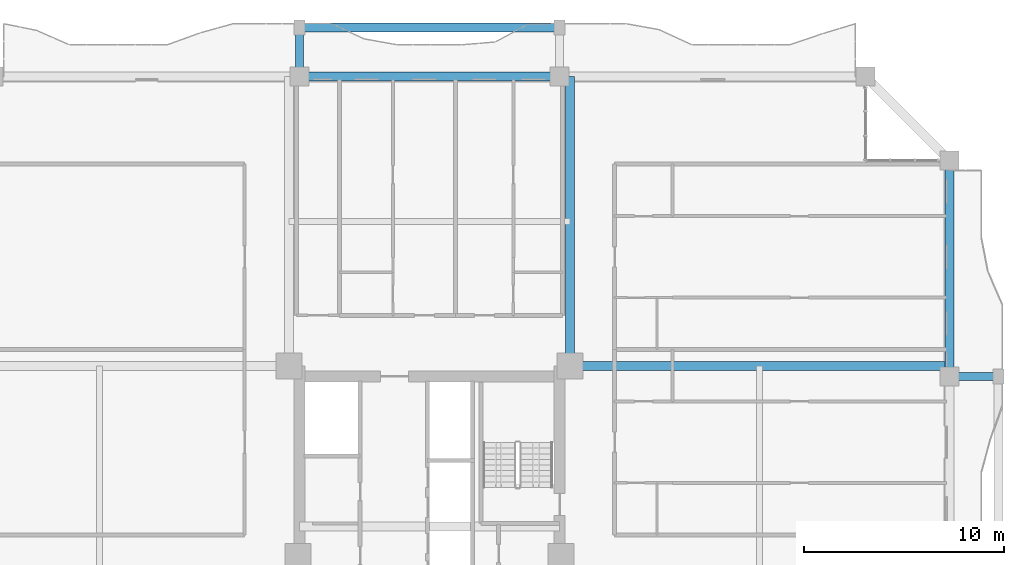
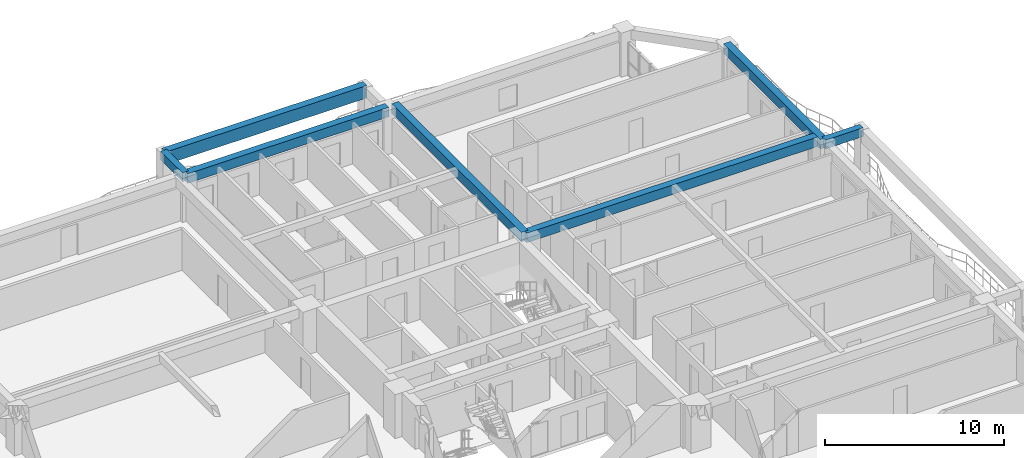
# One storey, part 9 of 24: 7 beams.
"""IFC4 building model written with IfcOpenShell, lengths in metres."""

import ifcopenshell
import ifcopenshell.guid

model = None  # the IFC model being written
_history = None  # IfcOwnerHistory: only IFC2X3 demands one
_inside = {}  # id of a spatial element -> (the spatial element, [elements in it])
_under = {}  # id of a project, library or spatial element -> (it, [spatial elements below it])
_declared = {}  # id of a project -> (the project, [libraries it declares])
_typed = {}  # id of a type object -> (the type object, [elements of that type])
_made_of = {}  # id of a material, layer set ... -> (it, [elements and type objects made of it])


def new_model(schema):
    """Start an empty IFC model of exactly this schema.

    Asked for "IFC4X3", IfcOpenShell would pick the latest addendum, in which some entities
    have other attributes; the version numbers below select the first issue.
    IFC2X3 requires an IfcOwnerHistory on every rooted entity: one is made here for all.
    """
    global model, _history
    if schema == "IFC4X3":
        model = ifcopenshell.file(schema_version=(4, 3, 0, 0))
    else:
        model = ifcopenshell.file(schema=schema)
    _inside.clear()
    _under.clear()
    _declared.clear()
    _typed.clear()
    _made_of.clear()
    _history = None
    if model.schema == "IFC2X3":
        org = make("IfcOrganization", Name="unknown")
        user = make(
            "IfcPersonAndOrganization",
            ThePerson=make("IfcPerson", FamilyName="unknown"),
            TheOrganization=org,
        )
        app = make(
            "IfcApplication",
            ApplicationDeveloper=org,
            Version="unknown",
            ApplicationFullName="unknown",
            ApplicationIdentifier="unknown",
        )
        _history = make(
            "IfcOwnerHistory",
            OwningUser=user,
            OwningApplication=app,
            ChangeAction="ADDED",
            CreationDate=0,
        )
    return model


def make(cls, **values):
    """One entity of the class cls with the attributes given. An attribute that is None is left unset."""
    return model.create_entity(
        cls, **{name: value for name, value in values.items() if value is not None}
    )


def rooted(cls, **values):
    """An entity with a GlobalId (a new one), such as an element, a storey or a relation."""
    return make(cls, GlobalId=ifcopenshell.guid.new(), OwnerHistory=_history, **values)


def si_unit(unit_type, name, prefix=None):
    """IfcSIUnit, for example si_unit("LENGTHUNIT", "METRE", prefix="MILLI")."""
    return make("IfcSIUnit", UnitType=unit_type, Prefix=prefix, Name=name)


def assignment(units):
    """IfcUnitAssignment: the units of a project."""
    return None if units is None else make("IfcUnitAssignment", Units=units)


def point(xyz):
    """IfcCartesianPoint."""
    return None if xyz is None else make("IfcCartesianPoint", Coordinates=xyz)


def direction(xyz):
    """IfcDirection."""
    return None if xyz is None else make("IfcDirection", DirectionRatios=xyz)


def frame(location, z_axis=None, x_axis=None):
    """IfcAxis2Placement3D, a coordinate frame: its origin and axes. An axis left out is left unset."""
    return make(
        "IfcAxis2Placement3D",
        Location=point(location),
        Axis=direction(z_axis),
        RefDirection=direction(x_axis),
    )


def frame_2d(location, x_axis=None):
    """IfcAxis2Placement2D, a coordinate frame in the plane: its origin and x axis."""
    return make(
        "IfcAxis2Placement2D", Location=point(location), RefDirection=direction(x_axis)
    )


def origin():
    """The frame at (0, 0, 0) with its axes left unset."""
    return frame((0.0, 0.0, 0.0))


def origin_2d():
    """The frame at (0, 0) in the plane with its x axis left unset."""
    return frame_2d((0.0, 0.0))


def place(relative_to, where):
    """IfcLocalPlacement: puts the frame where relative to a parent placement (None: the world)."""
    return make(
        "IfcLocalPlacement", PlacementRelTo=relative_to, RelativePlacement=where
    )


def context(
    kind, dimensions, precision=None, world=None, true_north=None, identifier=None
):
    """IfcGeometricRepresentationContext, for example the 3D "Model" context."""
    return make(
        "IfcGeometricRepresentationContext",
        ContextIdentifier=identifier,
        ContextType=kind,
        CoordinateSpaceDimension=dimensions,
        Precision=precision,
        WorldCoordinateSystem=world,
        TrueNorth=true_north,
    )


def subcontext(parent, identifier, kind, view, scale=None):
    """IfcGeometricRepresentationSubContext, for example "Body" below "Model"."""
    return make(
        "IfcGeometricRepresentationSubContext",
        ContextIdentifier=identifier,
        ContextType=kind,
        ParentContext=parent,
        TargetScale=scale,
        TargetView=view,
    )


def project(units=None, contexts=None):
    """IfcProject with its units and contexts."""
    return rooted(
        "IfcProject",
        Name="project",
        RepresentationContexts=contexts,
        UnitsInContext=assignment(units),
    )


def spatial(cls, under=None, at=None, **own):
    """A site, building, storey or space (cls), placed at a placement, below another one or the project."""
    s = rooted(cls, ObjectPlacement=at, **own)
    if under is not None:
        _under.setdefault(under.id(), (under, []))[1].append(s)
    return s


def profile(cls, at=None, kind="AREA", **sizes):
    """A parametric profile (cls). Its sizes go by their IFC names, for example OverallWidth=200.0."""
    return make(cls, ProfileType=kind, Position=at, **sizes)


def rectangle(**sizes):
    """IfcRectangleProfileDef."""
    return profile("IfcRectangleProfileDef", **sizes)


def extrude(swept, where, along, depth):
    """IfcExtrudedAreaSolid: the profile swept, set in the frame where, extruded along a direction by depth."""
    return make(
        "IfcExtrudedAreaSolid",
        SweptArea=swept,
        Position=where,
        ExtrudedDirection=direction(along),
        Depth=depth,
    )


def shape(context_of_items, identifier, shape_type, items):
    """IfcShapeRepresentation: the items that make up one representation, for example the "Body"."""
    return make(
        "IfcShapeRepresentation",
        ContextOfItems=context_of_items,
        RepresentationIdentifier=identifier,
        RepresentationType=shape_type,
        Items=items,
    )


def source(mapping_origin, context_of_items, identifier, shape_type, items):
    """IfcRepresentationMap: a shape defined once, which mapped items show again and again."""
    return make(
        "IfcRepresentationMap",
        MappingOrigin=mapping_origin,
        MappedRepresentation=shape(context_of_items, identifier, shape_type, items),
    )


def transform(
    local_origin,
    x_axis=None,
    y_axis=None,
    z_axis=None,
    scale=None,
    scale2=None,
    scale3=None,
    uniform=True,
):
    """IfcCartesianTransformationOperator3D, or its non-uniform kind. x_axis, y_axis, z_axis: its Axis1, 2, 3."""
    if uniform:
        return make(
            "IfcCartesianTransformationOperator3D",
            Axis1=direction(x_axis),
            Axis2=direction(y_axis),
            LocalOrigin=point(local_origin),
            Scale=scale,
            Axis3=direction(z_axis),
        )
    return make(
        "IfcCartesianTransformationOperator3DnonUniform",
        Axis1=direction(x_axis),
        Axis2=direction(y_axis),
        LocalOrigin=point(local_origin),
        Scale=scale,
        Axis3=direction(z_axis),
        Scale2=scale2,
        Scale3=scale3,
    )


def mapped(mapping_source, mapping_target):
    """IfcMappedItem: shows the shape of a source again, moved by a transform."""
    return make(
        "IfcMappedItem", MappingSource=mapping_source, MappingTarget=mapping_target
    )


def material(Name=None, Category=None):
    """IfcMaterial."""
    return make("IfcMaterial", Name=Name, Category=Category)


def material_profile(
    of_material, cross_section, Name=None, Category=None, Priority=None
):
    """IfcMaterialProfile: a cross section and its material."""
    return make(
        "IfcMaterialProfile",
        Name=Name,
        Material=of_material,
        Profile=cross_section,
        Priority=Priority,
        Category=Category,
    )


def profile_set(profiles, Name=None, composite=None):
    """IfcMaterialProfileSet."""
    return make(
        "IfcMaterialProfileSet",
        Name=Name,
        MaterialProfiles=profiles,
        CompositeProfile=composite,
    )


def made_of(thing, what):
    """Note that an element or type object is made of a material, layer set ...; save() writes the relation."""
    if what is not None:
        _made_of.setdefault(what.id(), (what, []))[1].append(thing)
    return thing


def type_object(cls, material=None, **own):
    """A type object (cls), such as IfcWallType, which elements share."""
    return made_of(rooted(cls, **own), material)


def element(
    cls,
    number,
    at=None,
    inside=None,
    cuts=None,
    type_object=None,
    material=None,
    context=None,
    identifier="Body",
    shape_type=None,
    held_by="IfcProductDefinitionShape",
    body=None,
    shapes=None,
    **own,
):
    """One element of the class cls, such as IfcWall. Its Tag is "e" and its number.

    at: its placement. inside: the storey or other place that contains it. cuts: it is an
    opening in that element (IfcRelVoidsElement). A single representation is given by context,
    identifier, shape_type and body (its items); several are given by shapes. held_by: the class
    of the entity that holds the representations. save() writes the other relations.
    """
    e = rooted(cls, Tag="e%d" % number, ObjectPlacement=at, **own)
    if body is not None:
        shapes = [shape(context, identifier, shape_type, body)]
    if shapes is not None:
        e.Representation = make(held_by, Representations=shapes)
    if inside is not None:
        _inside.setdefault(inside.id(), (inside, []))[1].append(e)
    if cuts is not None:
        rooted(
            "IfcRelVoidsElement", RelatingBuildingElement=cuts, RelatedOpeningElement=e
        )
    if type_object is not None:
        _typed.setdefault(type_object.id(), (type_object, []))[1].append(e)
    return made_of(e, material)


def aggregate(whole, parts):
    """IfcRelAggregates: a whole, such as a stair, and the parts it consists of."""
    return rooted("IfcRelAggregates", RelatingObject=whole, RelatedObjects=parts)


def save(model, path):
    """Write the relations noted so far, then the file.

    IfcRelAggregates (storeys below a building ...), IfcRelContainedInSpatialStructure (elements
    in a storey), IfcRelDefinesByType, IfcRelAssociatesMaterial and IfcRelDeclares: one each for
    every whole, place, type object, material and project.
    """
    for whole, parts in _under.values():
        aggregate(whole, parts)
    for where, things in _inside.values():
        rooted(
            "IfcRelContainedInSpatialStructure",
            RelatedElements=things,
            RelatingStructure=where,
        )
    for kind, things in _typed.values():
        rooted("IfcRelDefinesByType", RelatedObjects=things, RelatingType=kind)
    for what, things in _made_of.values():
        rooted("IfcRelAssociatesMaterial", RelatedObjects=things, RelatingMaterial=what)
    for by, libraries in _declared.values():
        rooted("IfcRelDeclares", RelatingContext=by, RelatedDefinitions=libraries)
    model.write(path)


model = new_model("IFC4")

# Units and contexts
model_context = context("Model", 3, precision=1e-05, world=origin(), true_north=direction((0.0, 1.0)))
body_context = subcontext(model_context, "Body", "Model", "MODEL_VIEW")
ifc_project = project(units=[si_unit("LENGTHUNIT", "METRE"), si_unit("AREAUNIT", "SQUARE_METRE"), si_unit("VOLUMEUNIT", "CUBIC_METRE"), si_unit("PLANEANGLEUNIT", "RADIAN"), si_unit("MASSUNIT", "GRAM", prefix="KILO")], contexts=[model_context])

# Site, building, storey
site_placement = place(None, origin())
site = spatial("IfcSite", under=ifc_project, at=site_placement, CompositionType="ELEMENT")
building_placement = place(site_placement, origin())
building = spatial("IfcBuilding", under=site, at=building_placement, Name="Saelheon Loggia Tower", CompositionType="ELEMENT")
storey_placement = place(building_placement, frame((0.0, 0.0, 98.85009765625)))
storey = spatial("IfcBuildingStorey", under=building, at=storey_placement, Name="L31", CompositionType="ELEMENT", Elevation=98.85009765625)

# Beams
ifc_material_1 = material(Name="Precast Concrete C45/55", Category="concrete")
ifc_material_profile_1 = material_profile(ifc_material_1, rectangle(XDim=0.449951171875, YDim=0.85009765625, at=origin_2d()), Name="RC-450x850")
ifc_profile_set_1 = profile_set([ifc_material_profile_1], Name="Precast Concrete C45/55")
beam_type_1 = type_object("IfcBeamType", Name="Beam_LoggiaSpandrel_RC450x850", PredefinedType="SPANDREL", material=ifc_profile_set_1)
shared_shape_1 = source(origin(), body_context, "Body", "SweptSolid", [
    extrude(rectangle(XDim=0.449951171875, YDim=0.85009765625, at=origin_2d()), origin(), (0.0, 0.0, 1.0), 13.0),
])
beam_1_placement = place(storey_placement, frame((31.5, 53.449951171875, 2.574951171875), z_axis=(1.0, 0.0, 0.0), x_axis=(0.0, 1.0, 0.0)))
element("IfcBeam", 1, at=beam_1_placement, inside=storey, type_object=beam_type_1, Name="L31 Loggia Spandrel Beam N", PredefinedType="SPANDREL", context=body_context, shape_type="MappedRepresentation", body=[
    mapped(shared_shape_1, transform((0.0, 0.0, 0.0), scale=1.0)),
])
ifc_material_profile_2 = material_profile(ifc_material_1, rectangle(XDim=0.39990234375, YDim=0.60009765625, at=origin_2d()), Name="RC-400x600")
ifc_profile_set_2 = profile_set([ifc_material_profile_2], Name="Precast Concrete C45/55")
beam_type_2 = type_object("IfcBeamType", Name="Beam_LoggiaTie_RC400x600", PredefinedType="BEAM", material=ifc_profile_set_2)
shared_shape_2 = source(origin(), body_context, "Body", "SweptSolid", [
    extrude(rectangle(XDim=0.39990234375, YDim=0.60009765625, at=origin_2d()), origin(), (0.0, 0.0, 1.0), 2.449951171875),
])
for number, where, z_axis, x_axis, name in (
    (2, (31.5, 51.0, 2.699951171875), (0.0, 1.0, 0.0), (-1.0, 0.0, 0.0), "L31 Loggia Frame Tie Beam LP-N1"),
    (3, (64.0, 36.0, 2.699951171875), (1.0, 0.0, 0.0), (0.0, 1.0, 0.0), "L31 Loggia Frame Tie Beam LP-E2"),
):
    element("IfcBeam", number, at=place(storey_placement, frame(where, z_axis=z_axis, x_axis=x_axis)), inside=storey, type_object=beam_type_2, Name=name, PredefinedType="BEAM", context=body_context, shape_type="MappedRepresentation", body=[
        mapped(shared_shape_2, transform((0.0, 0.0, 0.0), scale=1.0)),
    ])
ifc_material_2 = material(Name="Concrete C40/50", Category="concrete")
ifc_material_profile_3 = material_profile(ifc_material_2, rectangle(XDim=0.449951171875, YDim=0.64990234375, at=origin_2d()), Name="RC-450x650")
ifc_profile_set_3 = profile_set([ifc_material_profile_3], Name="Concrete C40/50")
beam_type_3 = type_object("IfcBeamType", Name="Beam_PerimTower_RC450x650", PredefinedType="BEAM", material=ifc_profile_set_3)
shared_shape_3 = source(origin(), body_context, "Body", "SweptSolid", [
    extrude(rectangle(XDim=0.449951171875, YDim=0.64990234375, at=origin_2d()), origin(), (0.0, 0.0, 1.0), 13.0),
])
beam_2_placement = place(storey_placement, frame((44.5, 51.0, 2.6748046875), z_axis=(-1.0, 0.0, 0.0), x_axis=(0.0, -1.0, 0.0)))
element("IfcBeam", 4, at=beam_2_placement, inside=storey, type_object=beam_type_3, Name="L31 Perimeter Frame Girder 10", PredefinedType="BEAM", context=body_context, shape_type="MappedRepresentation", body=[
    mapped(shared_shape_3, transform((0.0, 0.0, 0.0), scale=1.0)),
])
shared_shape_4 = source(origin(), body_context, "Body", "SweptSolid", [
    extrude(rectangle(XDim=0.449951171875, YDim=0.64990234375, at=origin_2d()), origin(), (0.0, 0.0, 1.0), 10.800048828125),
])
beam_3_placement = place(storey_placement, frame((64.0, 36.0, 2.6748046875), z_axis=(0.0, 1.0, 0.0), x_axis=(-1.0, 0.0, 0.0)))
element("IfcBeam", 5, at=beam_3_placement, inside=storey, type_object=beam_type_3, Name="L31 Perimeter Frame Girder 07", PredefinedType="BEAM", context=body_context, shape_type="MappedRepresentation", body=[
    mapped(shared_shape_4, transform((0.0, 0.0, 0.0), scale=1.0)),
])
ifc_material_profile_4 = material_profile(ifc_material_2, rectangle(XDim=0.449951171875, YDim=0.64990234375, at=origin_2d()), Name="RC-450x650")
ifc_profile_set_4 = profile_set([ifc_material_profile_4], Name="Concrete C40/50")
beam_type_4 = type_object("IfcBeamType", Name="Beam_TowerGirder_RC450x650", PredefinedType="BEAM", material=ifc_profile_set_4)
shared_shape_5 = source(origin(), body_context, "Body", "SweptSolid", [
    extrude(rectangle(XDim=0.449951171875, YDim=0.64990234375, at=origin_2d()), origin(), (0.0, 0.0, 1.0), 14.47998046875),
])
beam_4_placement = place(storey_placement, frame((45.02001953125, 36.52001953125, 2.6748046875), z_axis=(0.0, 1.0, 0.0), x_axis=(-1.0, 0.0, 0.0)))
element("IfcBeam", 6, at=beam_4_placement, inside=storey, type_object=beam_type_4, Name="L31 Radial Floor Girder RAD-NE-N", PredefinedType="BEAM", context=body_context, shape_type="MappedRepresentation", body=[
    mapped(shared_shape_5, transform((0.0, 0.0, 0.0), scale=1.0)),
])
shared_shape_6 = source(origin(), body_context, "Body", "SweptSolid", [
    extrude(rectangle(XDim=0.449951171875, YDim=0.64990234375, at=origin_2d()), origin(), (0.0, 0.0, 1.0), 18.97998046875),
])
beam_5_placement = place(storey_placement, frame((45.02001953125, 36.52001953125, 2.6748046875), z_axis=(1.0, 0.0, 0.0), x_axis=(0.0, 1.0, 0.0)))
element("IfcBeam", 7, at=beam_5_placement, inside=storey, type_object=beam_type_4, Name="L31 Radial Floor Girder RAD-NE-E", PredefinedType="BEAM", context=body_context, shape_type="MappedRepresentation", body=[
    mapped(shared_shape_6, transform((0.0, 0.0, 0.0), scale=1.0)),
])

save(model, "model.ifc")
